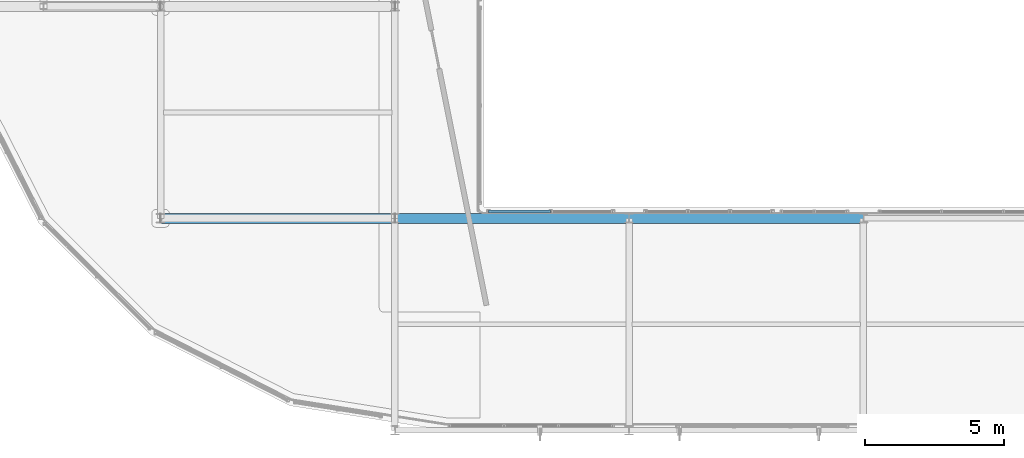
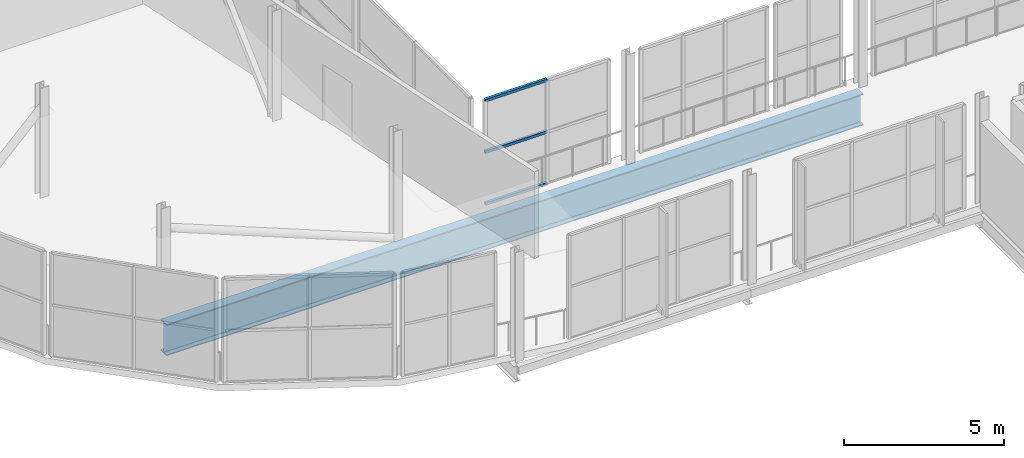
# One storey, part 19 of 151: 3 members, 1 beam, 1 element without a shape of its own.
"""IFC4 building model written with IfcOpenShell, lengths in metres."""

import ifcopenshell
import ifcopenshell.guid

model = None  # the IFC model being written
_history = None  # IfcOwnerHistory: only IFC2X3 demands one
_inside = {}  # id of a spatial element -> (the spatial element, [elements in it])
_under = {}  # id of a project, library or spatial element -> (it, [spatial elements below it])
_declared = {}  # id of a project -> (the project, [libraries it declares])
_typed = {}  # id of a type object -> (the type object, [elements of that type])
_made_of = {}  # id of a material, layer set ... -> (it, [elements and type objects made of it])


def new_model(schema):
    """Start an empty IFC model of exactly this schema.

    Asked for "IFC4X3", IfcOpenShell would pick the latest addendum, in which some entities
    have other attributes; the version numbers below select the first issue.
    IFC2X3 requires an IfcOwnerHistory on every rooted entity: one is made here for all.
    """
    global model, _history
    if schema == "IFC4X3":
        model = ifcopenshell.file(schema_version=(4, 3, 0, 0))
    else:
        model = ifcopenshell.file(schema=schema)
    _inside.clear()
    _under.clear()
    _declared.clear()
    _typed.clear()
    _made_of.clear()
    _history = None
    if model.schema == "IFC2X3":
        org = make("IfcOrganization", Name="unknown")
        user = make(
            "IfcPersonAndOrganization",
            ThePerson=make("IfcPerson", FamilyName="unknown"),
            TheOrganization=org,
        )
        app = make(
            "IfcApplication",
            ApplicationDeveloper=org,
            Version="unknown",
            ApplicationFullName="unknown",
            ApplicationIdentifier="unknown",
        )
        _history = make(
            "IfcOwnerHistory",
            OwningUser=user,
            OwningApplication=app,
            ChangeAction="ADDED",
            CreationDate=0,
        )
    return model


def make(cls, **values):
    """One entity of the class cls with the attributes given. An attribute that is None is left unset."""
    return model.create_entity(
        cls, **{name: value for name, value in values.items() if value is not None}
    )


def rooted(cls, **values):
    """An entity with a GlobalId (a new one), such as an element, a storey or a relation."""
    return make(cls, GlobalId=ifcopenshell.guid.new(), OwnerHistory=_history, **values)


def si_unit(unit_type, name, prefix=None):
    """IfcSIUnit, for example si_unit("LENGTHUNIT", "METRE", prefix="MILLI")."""
    return make("IfcSIUnit", UnitType=unit_type, Prefix=prefix, Name=name)


def assignment(units):
    """IfcUnitAssignment: the units of a project."""
    return None if units is None else make("IfcUnitAssignment", Units=units)


def point(xyz):
    """IfcCartesianPoint."""
    return None if xyz is None else make("IfcCartesianPoint", Coordinates=xyz)


def direction(xyz):
    """IfcDirection."""
    return None if xyz is None else make("IfcDirection", DirectionRatios=xyz)


def frame(location, z_axis=None, x_axis=None):
    """IfcAxis2Placement3D, a coordinate frame: its origin and axes. An axis left out is left unset."""
    return make(
        "IfcAxis2Placement3D",
        Location=point(location),
        Axis=direction(z_axis),
        RefDirection=direction(x_axis),
    )


def frame_2d(location, x_axis=None):
    """IfcAxis2Placement2D, a coordinate frame in the plane: its origin and x axis."""
    return make(
        "IfcAxis2Placement2D", Location=point(location), RefDirection=direction(x_axis)
    )


def origin():
    """The frame at (0, 0, 0) with its axes left unset."""
    return frame((0.0, 0.0, 0.0))


def origin_2d():
    """The frame at (0, 0) in the plane with its x axis left unset."""
    return frame_2d((0.0, 0.0))


def place(relative_to, where):
    """IfcLocalPlacement: puts the frame where relative to a parent placement (None: the world)."""
    return make(
        "IfcLocalPlacement", PlacementRelTo=relative_to, RelativePlacement=where
    )


def context(
    kind, dimensions, precision=None, world=None, true_north=None, identifier=None
):
    """IfcGeometricRepresentationContext, for example the 3D "Model" context."""
    return make(
        "IfcGeometricRepresentationContext",
        ContextIdentifier=identifier,
        ContextType=kind,
        CoordinateSpaceDimension=dimensions,
        Precision=precision,
        WorldCoordinateSystem=world,
        TrueNorth=true_north,
    )


def subcontext(parent, identifier, kind, view, scale=None):
    """IfcGeometricRepresentationSubContext, for example "Body" below "Model"."""
    return make(
        "IfcGeometricRepresentationSubContext",
        ContextIdentifier=identifier,
        ContextType=kind,
        ParentContext=parent,
        TargetScale=scale,
        TargetView=view,
    )


def project(units=None, contexts=None):
    """IfcProject with its units and contexts."""
    return rooted(
        "IfcProject",
        Name="project",
        RepresentationContexts=contexts,
        UnitsInContext=assignment(units),
    )


def spatial(cls, under=None, at=None, **own):
    """A site, building, storey or space (cls), placed at a placement, below another one or the project."""
    s = rooted(cls, ObjectPlacement=at, **own)
    if under is not None:
        _under.setdefault(under.id(), (under, []))[1].append(s)
    return s


def profile(cls, at=None, kind="AREA", **sizes):
    """A parametric profile (cls). Its sizes go by their IFC names, for example OverallWidth=200.0."""
    return make(cls, ProfileType=kind, Position=at, **sizes)


def hollow_rectangle(**sizes):
    """IfcRectangleHollowProfileDef."""
    return profile("IfcRectangleHollowProfileDef", **sizes)


def i_section(**sizes):
    """IfcIShapeProfileDef."""
    return profile("IfcIShapeProfileDef", **sizes)


def extrude(swept, where, along, depth):
    """IfcExtrudedAreaSolid: the profile swept, set in the frame where, extruded along a direction by depth."""
    return make(
        "IfcExtrudedAreaSolid",
        SweptArea=swept,
        Position=where,
        ExtrudedDirection=direction(along),
        Depth=depth,
    )


def shape(context_of_items, identifier, shape_type, items):
    """IfcShapeRepresentation: the items that make up one representation, for example the "Body"."""
    return make(
        "IfcShapeRepresentation",
        ContextOfItems=context_of_items,
        RepresentationIdentifier=identifier,
        RepresentationType=shape_type,
        Items=items,
    )


def material(Name=None, Category=None):
    """IfcMaterial."""
    return make("IfcMaterial", Name=Name, Category=Category)


def material_profile(
    of_material, cross_section, Name=None, Category=None, Priority=None
):
    """IfcMaterialProfile: a cross section and its material."""
    return make(
        "IfcMaterialProfile",
        Name=Name,
        Material=of_material,
        Profile=cross_section,
        Priority=Priority,
        Category=Category,
    )


def profile_set(profiles, Name=None, composite=None):
    """IfcMaterialProfileSet."""
    return make(
        "IfcMaterialProfileSet",
        Name=Name,
        MaterialProfiles=profiles,
        CompositeProfile=composite,
    )


def made_of(thing, what):
    """Note that an element or type object is made of a material, layer set ...; save() writes the relation."""
    if what is not None:
        _made_of.setdefault(what.id(), (what, []))[1].append(thing)
    return thing


def type_object(cls, material=None, **own):
    """A type object (cls), such as IfcWallType, which elements share."""
    return made_of(rooted(cls, **own), material)


def element(
    cls,
    number,
    at=None,
    inside=None,
    cuts=None,
    type_object=None,
    material=None,
    context=None,
    identifier="Body",
    shape_type=None,
    held_by="IfcProductDefinitionShape",
    body=None,
    shapes=None,
    **own,
):
    """One element of the class cls, such as IfcWall. Its Tag is "e" and its number.

    at: its placement. inside: the storey or other place that contains it. cuts: it is an
    opening in that element (IfcRelVoidsElement). A single representation is given by context,
    identifier, shape_type and body (its items); several are given by shapes. held_by: the class
    of the entity that holds the representations. save() writes the other relations.
    """
    e = rooted(cls, Tag="e%d" % number, ObjectPlacement=at, **own)
    if body is not None:
        shapes = [shape(context, identifier, shape_type, body)]
    if shapes is not None:
        e.Representation = make(held_by, Representations=shapes)
    if inside is not None:
        _inside.setdefault(inside.id(), (inside, []))[1].append(e)
    if cuts is not None:
        rooted(
            "IfcRelVoidsElement", RelatingBuildingElement=cuts, RelatedOpeningElement=e
        )
    if type_object is not None:
        _typed.setdefault(type_object.id(), (type_object, []))[1].append(e)
    return made_of(e, material)


def aggregate(whole, parts):
    """IfcRelAggregates: a whole, such as a stair, and the parts it consists of."""
    return rooted("IfcRelAggregates", RelatingObject=whole, RelatedObjects=parts)


def save(model, path):
    """Write the relations noted so far, then the file.

    IfcRelAggregates (storeys below a building ...), IfcRelContainedInSpatialStructure (elements
    in a storey), IfcRelDefinesByType, IfcRelAssociatesMaterial and IfcRelDeclares: one each for
    every whole, place, type object, material and project.
    """
    for whole, parts in _under.values():
        aggregate(whole, parts)
    for where, things in _inside.values():
        rooted(
            "IfcRelContainedInSpatialStructure",
            RelatedElements=things,
            RelatingStructure=where,
        )
    for kind, things in _typed.values():
        rooted("IfcRelDefinesByType", RelatedObjects=things, RelatingType=kind)
    for what, things in _made_of.values():
        rooted("IfcRelAssociatesMaterial", RelatedObjects=things, RelatingMaterial=what)
    for by, libraries in _declared.values():
        rooted("IfcRelDeclares", RelatingContext=by, RelatedDefinitions=libraries)
    model.write(path)


model = new_model("IFC4")

# Units and contexts
model_context = context("Model", 3, precision=1e-05, world=origin(), true_north=direction((0.0, 1.0)))
body_context = subcontext(model_context, "Body", "Model", "MODEL_VIEW")
ifc_project = project(units=[si_unit("LENGTHUNIT", "METRE"), si_unit("AREAUNIT", "SQUARE_METRE"), si_unit("VOLUMEUNIT", "CUBIC_METRE"), si_unit("PLANEANGLEUNIT", "RADIAN"), si_unit("MASSUNIT", "GRAM", prefix="KILO")], contexts=[model_context])

# Site, building, storey
site_placement = place(None, origin())
site = spatial("IfcSite", under=ifc_project, at=site_placement, CompositionType="ELEMENT")
building_placement = place(site_placement, origin())
building = spatial("IfcBuilding", under=site, at=building_placement, Name="Zuvorla Pavilion Media Centre", CompositionType="ELEMENT")
storey_placement = place(building_placement, frame((0.0, 0.0, 13.800048828125)))
storey = spatial("IfcBuildingStorey", under=building, at=storey_placement, Name="L03", CompositionType="ELEMENT", Elevation=13.800048828125)

# Beam
ifc_material_1 = material(Name="Steel S355", Category="steel")
ifc_material_profile_1 = material_profile(ifc_material_1, i_section(OverallWidth=0.360107421875, OverallDepth=1.199951171875, WebThickness=0.02001953125, FlangeThickness=0.0380859375, FilletRadius=0.02392578125, at=origin_2d()), Name="PG 1200x360x38")
ifc_profile_set_1 = profile_set([ifc_material_profile_1], Name="Steel S355")
beam_type = type_object("IfcBeamType", Name="BM-PG1200", PredefinedType="BEAM", material=ifc_profile_set_1)
beam_placement = place(storey_placement, frame((41.60009765625, 51.60009765625, -0.858154296875), z_axis=(-1.0, 0.0, 0.0), x_axis=(0.0, -1.0, 0.0)))
element("IfcBeam", 1, at=beam_placement, inside=storey, type_object=beam_type, Name="L03 beam B01 1691", PredefinedType="BEAM", context=body_context, shape_type="SweptSolid", body=[
    extrude(i_section(OverallWidth=0.360107421875, OverallDepth=1.199951171875, WebThickness=0.02001953125, FlangeThickness=0.0380859375, FilletRadius=0.02392578125, at=origin_2d()), origin(), (0.0, 0.0, 1.0), 25.2001953125),
])

# Curtain wall, members
ifc_material_2 = material(Name="Unitised anodised aluminium and solar glass curtain wall", Category="aluminium")
curtain_wall_type = type_object("IfcCurtainWallType", Name="CW-SYS-28", PredefinedType="USERDEFINED", material=ifc_material_2)
curtain_wall_placement = place(storey_placement, origin())
curtain_wall = element("IfcCurtainWall", 2, at=curtain_wall_placement, inside=storey, type_object=curtain_wall_type, Name="L03 curtain wall CW28 148", ObjectType="CURTAIN WALL", PredefinedType="USERDEFINED")
ifc_material_3 = material(Name="Anodised aluminium 6063-T6", Category="aluminium")
ifc_material_profile_2 = material_profile(ifc_material_3, hollow_rectangle(XDim=0.10009765625, YDim=0.10009765625, WallThickness=0.00439453125, at=origin_2d()), Name="ALU TRAN 100x100")
ifc_profile_set_2 = profile_set([ifc_material_profile_2], Name="Anodised aluminium 6063-T6")
member_type = type_object("IfcMemberType", Name="CW-TRAN-100", PredefinedType="USERDEFINED", material=ifc_profile_set_2)
member_1_placement = place(storey_placement, frame((28.159912109375, 51.840087890625, 0.0), z_axis=(1.0, 0.0, 0.0), x_axis=(0.0, 1.0, 0.0)))
member_1 = element("IfcMember", 3, at=member_1_placement, type_object=member_type, Name="CW28 transom 1.1", ObjectType="TRANSOM", PredefinedType="USERDEFINED", context=body_context, shape_type="SweptSolid", body=[
    extrude(hollow_rectangle(XDim=0.10009765625, YDim=0.10009765625, WallThickness=0.00439453125, at=origin_2d()), origin(), (0.0, 0.0, 1.0), 2.229248046875),
])
member_2_placement = place(storey_placement, frame((28.159912109375, 51.840087890625, 1.97998046875), z_axis=(1.0, 0.0, 0.0), x_axis=(0.0, 1.0, 0.0)))
member_2 = element("IfcMember", 4, at=member_2_placement, type_object=member_type, Name="CW28 transom 1.2", ObjectType="TRANSOM", PredefinedType="USERDEFINED", context=body_context, shape_type="SweptSolid", body=[
    extrude(hollow_rectangle(XDim=0.10009765625, YDim=0.10009765625, WallThickness=0.00439453125, at=origin_2d()), origin(), (0.0, 0.0, 1.0), 2.229248046875),
])
member_3_placement = place(storey_placement, frame((28.159912109375, 51.840087890625, 3.9599609375), z_axis=(1.0, 0.0, 0.0), x_axis=(0.0, 1.0, 0.0)))
member_3 = element("IfcMember", 5, at=member_3_placement, type_object=member_type, Name="CW28 transom 1.3", ObjectType="TRANSOM", PredefinedType="USERDEFINED", context=body_context, shape_type="SweptSolid", body=[
    extrude(hollow_rectangle(XDim=0.10009765625, YDim=0.10009765625, WallThickness=0.00439453125, at=origin_2d()), origin(), (0.0, 0.0, 1.0), 2.229248046875),
])
aggregate(curtain_wall, [member_1, member_2, member_3])

save(model, "model.ifc")
